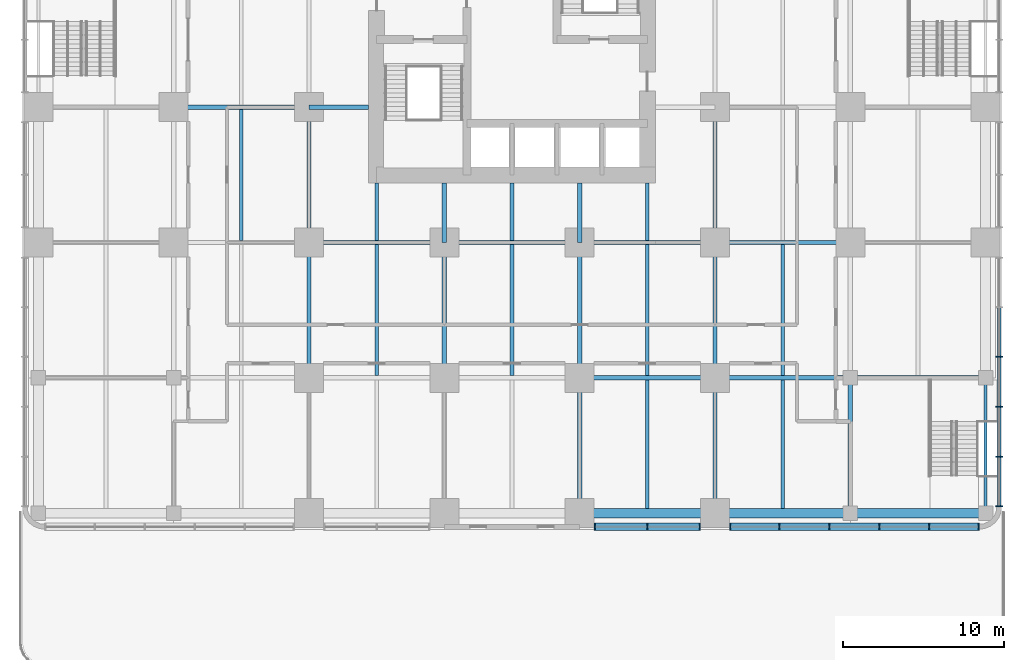
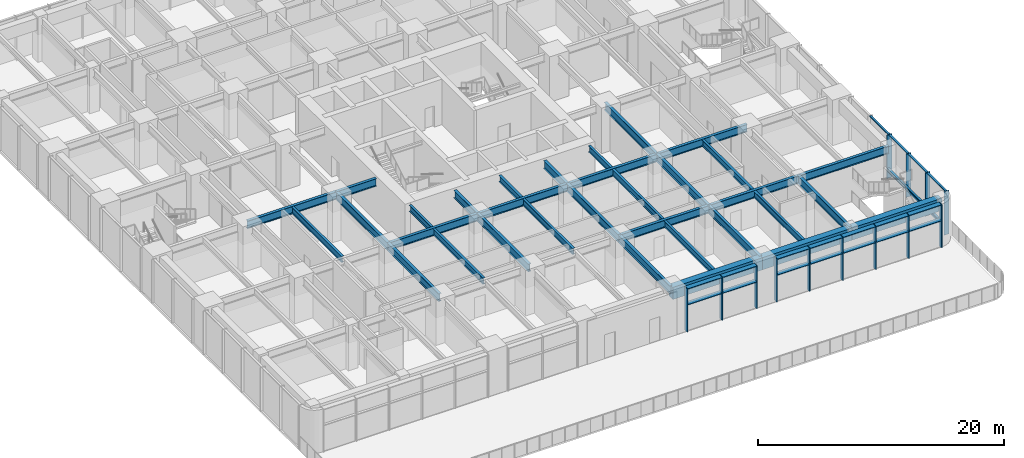
# One storey, part 3 of 19: 34 beams, 31 members, 2 elements without a shape of their own.
"""IFC4 building model written with IfcOpenShell, lengths in metres."""

import ifcopenshell
import ifcopenshell.guid

model = None  # the IFC model being written
_history = None  # IfcOwnerHistory: only IFC2X3 demands one
_inside = {}  # id of a spatial element -> (the spatial element, [elements in it])
_under = {}  # id of a project, library or spatial element -> (it, [spatial elements below it])
_declared = {}  # id of a project -> (the project, [libraries it declares])
_typed = {}  # id of a type object -> (the type object, [elements of that type])
_made_of = {}  # id of a material, layer set ... -> (it, [elements and type objects made of it])


def new_model(schema):
    """Start an empty IFC model of exactly this schema.

    Asked for "IFC4X3", IfcOpenShell would pick the latest addendum, in which some entities
    have other attributes; the version numbers below select the first issue.
    IFC2X3 requires an IfcOwnerHistory on every rooted entity: one is made here for all.
    """
    global model, _history
    if schema == "IFC4X3":
        model = ifcopenshell.file(schema_version=(4, 3, 0, 0))
    else:
        model = ifcopenshell.file(schema=schema)
    _inside.clear()
    _under.clear()
    _declared.clear()
    _typed.clear()
    _made_of.clear()
    _history = None
    if model.schema == "IFC2X3":
        org = make("IfcOrganization", Name="unknown")
        user = make(
            "IfcPersonAndOrganization",
            ThePerson=make("IfcPerson", FamilyName="unknown"),
            TheOrganization=org,
        )
        app = make(
            "IfcApplication",
            ApplicationDeveloper=org,
            Version="unknown",
            ApplicationFullName="unknown",
            ApplicationIdentifier="unknown",
        )
        _history = make(
            "IfcOwnerHistory",
            OwningUser=user,
            OwningApplication=app,
            ChangeAction="ADDED",
            CreationDate=0,
        )
    return model


def make(cls, **values):
    """One entity of the class cls with the attributes given. An attribute that is None is left unset."""
    return model.create_entity(
        cls, **{name: value for name, value in values.items() if value is not None}
    )


def rooted(cls, **values):
    """An entity with a GlobalId (a new one), such as an element, a storey or a relation."""
    return make(cls, GlobalId=ifcopenshell.guid.new(), OwnerHistory=_history, **values)


def si_unit(unit_type, name, prefix=None):
    """IfcSIUnit, for example si_unit("LENGTHUNIT", "METRE", prefix="MILLI")."""
    return make("IfcSIUnit", UnitType=unit_type, Prefix=prefix, Name=name)


def assignment(units):
    """IfcUnitAssignment: the units of a project."""
    return None if units is None else make("IfcUnitAssignment", Units=units)


def point(xyz):
    """IfcCartesianPoint."""
    return None if xyz is None else make("IfcCartesianPoint", Coordinates=xyz)


def direction(xyz):
    """IfcDirection."""
    return None if xyz is None else make("IfcDirection", DirectionRatios=xyz)


def frame(location, z_axis=None, x_axis=None):
    """IfcAxis2Placement3D, a coordinate frame: its origin and axes. An axis left out is left unset."""
    return make(
        "IfcAxis2Placement3D",
        Location=point(location),
        Axis=direction(z_axis),
        RefDirection=direction(x_axis),
    )


def frame_2d(location, x_axis=None):
    """IfcAxis2Placement2D, a coordinate frame in the plane: its origin and x axis."""
    return make(
        "IfcAxis2Placement2D", Location=point(location), RefDirection=direction(x_axis)
    )


def origin():
    """The frame at (0, 0, 0) with its axes left unset."""
    return frame((0.0, 0.0, 0.0))


def origin_2d():
    """The frame at (0, 0) in the plane with its x axis left unset."""
    return frame_2d((0.0, 0.0))


def place(relative_to, where):
    """IfcLocalPlacement: puts the frame where relative to a parent placement (None: the world)."""
    return make(
        "IfcLocalPlacement", PlacementRelTo=relative_to, RelativePlacement=where
    )


def context(
    kind, dimensions, precision=None, world=None, true_north=None, identifier=None
):
    """IfcGeometricRepresentationContext, for example the 3D "Model" context."""
    return make(
        "IfcGeometricRepresentationContext",
        ContextIdentifier=identifier,
        ContextType=kind,
        CoordinateSpaceDimension=dimensions,
        Precision=precision,
        WorldCoordinateSystem=world,
        TrueNorth=true_north,
    )


def subcontext(parent, identifier, kind, view, scale=None):
    """IfcGeometricRepresentationSubContext, for example "Body" below "Model"."""
    return make(
        "IfcGeometricRepresentationSubContext",
        ContextIdentifier=identifier,
        ContextType=kind,
        ParentContext=parent,
        TargetScale=scale,
        TargetView=view,
    )


def project(units=None, contexts=None):
    """IfcProject with its units and contexts."""
    return rooted(
        "IfcProject",
        Name="project",
        RepresentationContexts=contexts,
        UnitsInContext=assignment(units),
    )


def spatial(cls, under=None, at=None, **own):
    """A site, building, storey or space (cls), placed at a placement, below another one or the project."""
    s = rooted(cls, ObjectPlacement=at, **own)
    if under is not None:
        _under.setdefault(under.id(), (under, []))[1].append(s)
    return s


def profile(cls, at=None, kind="AREA", **sizes):
    """A parametric profile (cls). Its sizes go by their IFC names, for example OverallWidth=200.0."""
    return make(cls, ProfileType=kind, Position=at, **sizes)


def rectangle(**sizes):
    """IfcRectangleProfileDef."""
    return profile("IfcRectangleProfileDef", **sizes)


def i_section(**sizes):
    """IfcIShapeProfileDef."""
    return profile("IfcIShapeProfileDef", **sizes)


def extrude(swept, where, along, depth):
    """IfcExtrudedAreaSolid: the profile swept, set in the frame where, extruded along a direction by depth."""
    return make(
        "IfcExtrudedAreaSolid",
        SweptArea=swept,
        Position=where,
        ExtrudedDirection=direction(along),
        Depth=depth,
    )


def shape(context_of_items, identifier, shape_type, items):
    """IfcShapeRepresentation: the items that make up one representation, for example the "Body"."""
    return make(
        "IfcShapeRepresentation",
        ContextOfItems=context_of_items,
        RepresentationIdentifier=identifier,
        RepresentationType=shape_type,
        Items=items,
    )


def material(Name=None, Category=None):
    """IfcMaterial."""
    return make("IfcMaterial", Name=Name, Category=Category)


def material_profile(
    of_material, cross_section, Name=None, Category=None, Priority=None
):
    """IfcMaterialProfile: a cross section and its material."""
    return make(
        "IfcMaterialProfile",
        Name=Name,
        Material=of_material,
        Profile=cross_section,
        Priority=Priority,
        Category=Category,
    )


def profile_set(profiles, Name=None, composite=None):
    """IfcMaterialProfileSet."""
    return make(
        "IfcMaterialProfileSet",
        Name=Name,
        MaterialProfiles=profiles,
        CompositeProfile=composite,
    )


def made_of(thing, what):
    """Note that an element or type object is made of a material, layer set ...; save() writes the relation."""
    if what is not None:
        _made_of.setdefault(what.id(), (what, []))[1].append(thing)
    return thing


def type_object(cls, material=None, **own):
    """A type object (cls), such as IfcWallType, which elements share."""
    return made_of(rooted(cls, **own), material)


def element(
    cls,
    number,
    at=None,
    inside=None,
    cuts=None,
    type_object=None,
    material=None,
    context=None,
    identifier="Body",
    shape_type=None,
    held_by="IfcProductDefinitionShape",
    body=None,
    shapes=None,
    **own,
):
    """One element of the class cls, such as IfcWall. Its Tag is "e" and its number.

    at: its placement. inside: the storey or other place that contains it. cuts: it is an
    opening in that element (IfcRelVoidsElement). A single representation is given by context,
    identifier, shape_type and body (its items); several are given by shapes. held_by: the class
    of the entity that holds the representations. save() writes the other relations.
    """
    e = rooted(cls, Tag="e%d" % number, ObjectPlacement=at, **own)
    if body is not None:
        shapes = [shape(context, identifier, shape_type, body)]
    if shapes is not None:
        e.Representation = make(held_by, Representations=shapes)
    if inside is not None:
        _inside.setdefault(inside.id(), (inside, []))[1].append(e)
    if cuts is not None:
        rooted(
            "IfcRelVoidsElement", RelatingBuildingElement=cuts, RelatedOpeningElement=e
        )
    if type_object is not None:
        _typed.setdefault(type_object.id(), (type_object, []))[1].append(e)
    return made_of(e, material)


def aggregate(whole, parts):
    """IfcRelAggregates: a whole, such as a stair, and the parts it consists of."""
    return rooted("IfcRelAggregates", RelatingObject=whole, RelatedObjects=parts)


def save(model, path):
    """Write the relations noted so far, then the file.

    IfcRelAggregates (storeys below a building ...), IfcRelContainedInSpatialStructure (elements
    in a storey), IfcRelDefinesByType, IfcRelAssociatesMaterial and IfcRelDeclares: one each for
    every whole, place, type object, material and project.
    """
    for whole, parts in _under.values():
        aggregate(whole, parts)
    for where, things in _inside.values():
        rooted(
            "IfcRelContainedInSpatialStructure",
            RelatedElements=things,
            RelatingStructure=where,
        )
    for kind, things in _typed.values():
        rooted("IfcRelDefinesByType", RelatedObjects=things, RelatingType=kind)
    for what, things in _made_of.values():
        rooted("IfcRelAssociatesMaterial", RelatedObjects=things, RelatingMaterial=what)
    for by, libraries in _declared.values():
        rooted("IfcRelDeclares", RelatingContext=by, RelatedDefinitions=libraries)
    model.write(path)


model = new_model("IFC4")

# Units and contexts
model_context = context("Model", 3, precision=1e-05, world=origin(), true_north=direction((0.0, 1.0)))
body_context = subcontext(model_context, "Body", "Model", "MODEL_VIEW")
ifc_project = project(units=[si_unit("LENGTHUNIT", "METRE"), si_unit("AREAUNIT", "SQUARE_METRE"), si_unit("VOLUMEUNIT", "CUBIC_METRE"), si_unit("PLANEANGLEUNIT", "RADIAN"), si_unit("MASSUNIT", "GRAM", prefix="KILO")], contexts=[model_context])

# Site, building, storey
site_placement = place(None, origin())
site = spatial("IfcSite", under=ifc_project, at=site_placement, CompositionType="ELEMENT")
building_placement = place(site_placement, origin())
building = spatial("IfcBuilding", under=site, at=building_placement, Name="Torre Alcanfor", CompositionType="ELEMENT")
storey_placement = place(building_placement, frame((0.0, 0.0, 15.0)))
storey = spatial("IfcBuildingStorey", under=building, at=storey_placement, Name="L03", CompositionType="ELEMENT", Elevation=15.0)

# Curtain wall, members
ifc_material_1 = material(Name="Aluminium and glass", Category="aluminium")
curtain_wall_type_1 = type_object("IfcCurtainWallType", Name="CW-B unitised classroom glazing with vertical FIN", PredefinedType="NOTDEFINED", material=ifc_material_1)
curtain_wall_1_placement = place(storey_placement, origin())
curtain_wall_1 = element("IfcCurtainWall", 1, at=curtain_wall_1_placement, inside=storey, type_object=curtain_wall_type_1, Name="Curtain wall CW-B L03 1", PredefinedType="NOTDEFINED")
ifc_material_2 = material(Name="Bronze anodised aluminium", Category="aluminium")
ifc_material_profile_1 = material_profile(ifc_material_2, rectangle(XDim=0.449951171875, YDim=0.06494140625, at=origin_2d()), Name="CW-B mullion 65x450")
ifc_profile_set_1 = profile_set([ifc_material_profile_1], Name="Bronze anodised aluminium")
member_type_1 = type_object("IfcMemberType", Name="CW-B mullion with vertical FIN 65x450", PredefinedType="MULLION", material=ifc_profile_set_1)
member_1_placement = place(storey_placement, frame((59.64990234375, 0.4326171875, 0.0), z_axis=(0.0, 0.0, 1.0), x_axis=(-1.0, 0.0, 0.0)))
member_1 = element("IfcMember", 2, at=member_1_placement, type_object=member_type_1, Name="CW-B mullion 1.1", PredefinedType="MULLION", context=body_context, shape_type="SweptSolid", body=[
    extrude(rectangle(XDim=0.449951171875, YDim=0.06494140625, at=origin_2d()), origin(), (0.0, 0.0, 1.0), 4.300048828125),
])
member_2_placement = place(storey_placement, frame((59.64990234375, 3.4990234375, 0.0), z_axis=(0.0, 0.0, 1.0), x_axis=(-1.0, 0.0, 0.0)))
member_2 = element("IfcMember", 3, at=member_2_placement, type_object=member_type_1, Name="CW-B mullion 1.2", PredefinedType="MULLION", context=body_context, shape_type="SweptSolid", body=[
    extrude(rectangle(XDim=0.449951171875, YDim=0.06494140625, at=origin_2d()), origin(), (0.0, 0.0, 1.0), 4.300048828125),
])
member_3_placement = place(storey_placement, frame((59.64990234375, 6.597900390625, 0.0), z_axis=(0.0, 0.0, 1.0), x_axis=(-1.0, 0.0, 0.0)))
member_3 = element("IfcMember", 4, at=member_3_placement, type_object=member_type_1, Name="CW-B mullion 1.3", PredefinedType="MULLION", context=body_context, shape_type="SweptSolid", body=[
    extrude(rectangle(XDim=0.449951171875, YDim=0.06494140625, at=origin_2d()), origin(), (0.0, 0.0, 1.0), 4.300048828125),
])
member_4_placement = place(storey_placement, frame((59.64990234375, 9.697021484375, 0.0), z_axis=(0.0, 0.0, 1.0), x_axis=(-1.0, 0.0, 0.0)))
member_4 = element("IfcMember", 5, at=member_4_placement, type_object=member_type_1, Name="CW-B mullion 1.4", PredefinedType="MULLION", context=body_context, shape_type="SweptSolid", body=[
    extrude(rectangle(XDim=0.449951171875, YDim=0.06494140625, at=origin_2d()), origin(), (0.0, 0.0, 1.0), 4.300048828125),
])
ifc_material_3 = material(Name="Extruded aluminium", Category="aluminium")
ifc_material_profile_2 = material_profile(ifc_material_3, rectangle(XDim=0.199951171875, YDim=0.06494140625, at=origin_2d()), Name="CW-B transom 200x65")
ifc_profile_set_2 = profile_set([ifc_material_profile_2], Name="Extruded aluminium")
member_type_2 = type_object("IfcMemberType", Name="CW-B transom 65x200", PredefinedType="USERDEFINED", material=ifc_profile_set_2)
member_5_placement = place(storey_placement, frame((59.64990234375, 0.465087890625, 4.267578125), z_axis=(0.0, 1.0, 0.0), x_axis=(-1.0, 0.0, 0.0)))
member_5 = element("IfcMember", 6, at=member_5_placement, type_object=member_type_2, Name="CW-B transom 1.1.2", ObjectType="TRANSOM", PredefinedType="USERDEFINED", context=body_context, shape_type="SweptSolid", body=[
    extrude(rectangle(XDim=0.199951171875, YDim=0.06494140625, at=origin_2d()), origin(), (0.0, 0.0, 1.0), 3.00146484375),
])
member_6_placement = place(storey_placement, frame((59.64990234375, 3.531494140625, 4.267578125), z_axis=(0.0, 1.0, 0.0), x_axis=(-1.0, 0.0, 0.0)))
member_6 = element("IfcMember", 7, at=member_6_placement, type_object=member_type_2, Name="CW-B transom 1.2.2", ObjectType="TRANSOM", PredefinedType="USERDEFINED", context=body_context, shape_type="SweptSolid", body=[
    extrude(rectangle(XDim=0.199951171875, YDim=0.06494140625, at=origin_2d()), origin(), (0.0, 0.0, 1.0), 3.033935546875),
])
member_7_placement = place(storey_placement, frame((59.64990234375, 6.630615234375, 4.267578125), z_axis=(0.0, 1.0, 0.0), x_axis=(-1.0, 0.0, 0.0)))
member_7 = element("IfcMember", 8, at=member_7_placement, type_object=member_type_2, Name="CW-B transom 1.3.2", ObjectType="TRANSOM", PredefinedType="USERDEFINED", context=body_context, shape_type="SweptSolid", body=[
    extrude(rectangle(XDim=0.199951171875, YDim=0.06494140625, at=origin_2d()), origin(), (0.0, 0.0, 1.0), 3.033935546875),
])
member_8_placement = place(storey_placement, frame((59.64990234375, 9.7294921875, 4.267578125), z_axis=(0.0, 1.0, 0.0), x_axis=(-1.0, 0.0, 0.0)))
member_8 = element("IfcMember", 9, at=member_8_placement, type_object=member_type_2, Name="CW-B transom 1.4.2", ObjectType="TRANSOM", PredefinedType="USERDEFINED", context=body_context, shape_type="SweptSolid", body=[
    extrude(rectangle(XDim=0.199951171875, YDim=0.06494140625, at=origin_2d()), origin(), (0.0, 0.0, 1.0), 3.033935546875),
])
aggregate(curtain_wall_1, [member_1, member_2, member_3, member_4, member_5, member_6, member_7, member_8])

ifc_material_4 = material(Name="Aluminium and glass", Category="aluminium")
curtain_wall_type_2 = type_object("IfcCurtainWallType", Name="CW-F south classroom glazing with SUNSHADE transom", PredefinedType="NOTDEFINED", material=ifc_material_4)
curtain_wall_2_placement = place(storey_placement, origin())
curtain_wall_2 = element("IfcCurtainWall", 10, at=curtain_wall_2_placement, inside=storey, type_object=curtain_wall_type_2, Name="Curtain wall CW-F L03 4", PredefinedType="NOTDEFINED")
ifc_material_5 = material(Name="Extruded aluminium", Category="aluminium")
ifc_material_profile_3 = material_profile(ifc_material_5, rectangle(XDim=0.449951171875, YDim=0.06494140625, at=origin_2d()), Name="CW-F transom 450x65")
ifc_profile_set_3 = profile_set([ifc_material_profile_3], Name="Extruded aluminium")
member_type_3 = type_object("IfcMemberType", Name="CW-F SUNSHADE transom 65x450", PredefinedType="USERDEFINED", material=ifc_profile_set_3)
member_9_placement = place(storey_placement, frame((34.570068359375, -0.85009765625, 2.699951171875), z_axis=(1.0, 0.0, 0.0), x_axis=(0.0, 1.0, 0.0)))
member_9 = element("IfcMember", 11, at=member_9_placement, type_object=member_type_3, Name="CW-F transom 1.1.2", ObjectType="TRANSOM", PredefinedType="USERDEFINED", context=body_context, shape_type="SweptSolid", body=[
    extrude(rectangle(XDim=0.449951171875, YDim=0.06494140625, at=origin_2d()), origin(), (0.0, 0.0, 1.0), 3.197509765625),
])
member_10_placement = place(storey_placement, frame((34.570068359375, -0.85009765625, 4.267578125), z_axis=(1.0, 0.0, 0.0), x_axis=(0.0, 1.0, 0.0)))
member_10 = element("IfcMember", 12, at=member_10_placement, type_object=member_type_3, Name="CW-F transom 1.1.3", ObjectType="TRANSOM", PredefinedType="USERDEFINED", context=body_context, shape_type="SweptSolid", body=[
    extrude(rectangle(XDim=0.449951171875, YDim=0.06494140625, at=origin_2d()), origin(), (0.0, 0.0, 1.0), 3.197509765625),
])
member_11_placement = place(storey_placement, frame((37.83251953125, -0.85009765625, 2.699951171875), z_axis=(1.0, 0.0, 0.0), x_axis=(0.0, 1.0, 0.0)))
member_11 = element("IfcMember", 13, at=member_11_placement, type_object=member_type_3, Name="CW-F transom 1.2.2", ObjectType="TRANSOM", PredefinedType="USERDEFINED", context=body_context, shape_type="SweptSolid", body=[
    extrude(rectangle(XDim=0.449951171875, YDim=0.06494140625, at=origin_2d()), origin(), (0.0, 0.0, 1.0), 3.197509765625),
])
member_12_placement = place(storey_placement, frame((37.83251953125, -0.85009765625, 4.267578125), z_axis=(1.0, 0.0, 0.0), x_axis=(0.0, 1.0, 0.0)))
member_12 = element("IfcMember", 14, at=member_12_placement, type_object=member_type_3, Name="CW-F transom 1.2.3", ObjectType="TRANSOM", PredefinedType="USERDEFINED", context=body_context, shape_type="SweptSolid", body=[
    extrude(rectangle(XDim=0.449951171875, YDim=0.06494140625, at=origin_2d()), origin(), (0.0, 0.0, 1.0), 3.197509765625),
])
member_13_placement = place(storey_placement, frame((42.969970703125, -0.85009765625, 2.699951171875), z_axis=(1.0, 0.0, 0.0), x_axis=(0.0, 1.0, 0.0)))
member_13 = element("IfcMember", 15, at=member_13_placement, type_object=member_type_3, Name="CW-F transom 2.1.2", ObjectType="TRANSOM", PredefinedType="USERDEFINED", context=body_context, shape_type="SweptSolid", body=[
    extrude(rectangle(XDim=0.449951171875, YDim=0.06494140625, at=origin_2d()), origin(), (0.0, 0.0, 1.0), 3.00146484375),
])
member_14_placement = place(storey_placement, frame((42.969970703125, -0.85009765625, 4.267578125), z_axis=(1.0, 0.0, 0.0), x_axis=(0.0, 1.0, 0.0)))
member_14 = element("IfcMember", 16, at=member_14_placement, type_object=member_type_3, Name="CW-F transom 2.1.3", ObjectType="TRANSOM", PredefinedType="USERDEFINED", context=body_context, shape_type="SweptSolid", body=[
    extrude(rectangle(XDim=0.449951171875, YDim=0.06494140625, at=origin_2d()), origin(), (0.0, 0.0, 1.0), 3.00146484375),
])
member_15_placement = place(storey_placement, frame((46.03662109375, -0.85009765625, 2.699951171875), z_axis=(1.0, 0.0, 0.0), x_axis=(0.0, 1.0, 0.0)))
member_15 = element("IfcMember", 17, at=member_15_placement, type_object=member_type_3, Name="CW-F transom 2.2.2", ObjectType="TRANSOM", PredefinedType="USERDEFINED", context=body_context, shape_type="SweptSolid", body=[
    extrude(rectangle(XDim=0.449951171875, YDim=0.06494140625, at=origin_2d()), origin(), (0.0, 0.0, 1.0), 3.033935546875),
])
member_16_placement = place(storey_placement, frame((46.03662109375, -0.85009765625, 4.267578125), z_axis=(1.0, 0.0, 0.0), x_axis=(0.0, 1.0, 0.0)))
member_16 = element("IfcMember", 18, at=member_16_placement, type_object=member_type_3, Name="CW-F transom 2.2.3", ObjectType="TRANSOM", PredefinedType="USERDEFINED", context=body_context, shape_type="SweptSolid", body=[
    extrude(rectangle(XDim=0.449951171875, YDim=0.06494140625, at=origin_2d()), origin(), (0.0, 0.0, 1.0), 3.033935546875),
])
member_17_placement = place(storey_placement, frame((49.135498046875, -0.85009765625, 2.699951171875), z_axis=(1.0, 0.0, 0.0), x_axis=(0.0, 1.0, 0.0)))
member_17 = element("IfcMember", 19, at=member_17_placement, type_object=member_type_3, Name="CW-F transom 2.3.2", ObjectType="TRANSOM", PredefinedType="USERDEFINED", context=body_context, shape_type="SweptSolid", body=[
    extrude(rectangle(XDim=0.449951171875, YDim=0.06494140625, at=origin_2d()), origin(), (0.0, 0.0, 1.0), 3.033935546875),
])
member_18_placement = place(storey_placement, frame((49.135498046875, -0.85009765625, 4.267578125), z_axis=(1.0, 0.0, 0.0), x_axis=(0.0, 1.0, 0.0)))
member_18 = element("IfcMember", 20, at=member_18_placement, type_object=member_type_3, Name="CW-F transom 2.3.3", ObjectType="TRANSOM", PredefinedType="USERDEFINED", context=body_context, shape_type="SweptSolid", body=[
    extrude(rectangle(XDim=0.449951171875, YDim=0.06494140625, at=origin_2d()), origin(), (0.0, 0.0, 1.0), 3.033935546875),
])
member_19_placement = place(storey_placement, frame((52.234619140625, -0.85009765625, 2.699951171875), z_axis=(1.0, 0.0, 0.0), x_axis=(0.0, 1.0, 0.0)))
member_19 = element("IfcMember", 21, at=member_19_placement, type_object=member_type_3, Name="CW-F transom 2.4.2", ObjectType="TRANSOM", PredefinedType="USERDEFINED", context=body_context, shape_type="SweptSolid", body=[
    extrude(rectangle(XDim=0.449951171875, YDim=0.06494140625, at=origin_2d()), origin(), (0.0, 0.0, 1.0), 3.033935546875),
])
member_20_placement = place(storey_placement, frame((52.234619140625, -0.85009765625, 4.267578125), z_axis=(1.0, 0.0, 0.0), x_axis=(0.0, 1.0, 0.0)))
member_20 = element("IfcMember", 22, at=member_20_placement, type_object=member_type_3, Name="CW-F transom 2.4.3", ObjectType="TRANSOM", PredefinedType="USERDEFINED", context=body_context, shape_type="SweptSolid", body=[
    extrude(rectangle(XDim=0.449951171875, YDim=0.06494140625, at=origin_2d()), origin(), (0.0, 0.0, 1.0), 3.033935546875),
])
member_21_placement = place(storey_placement, frame((55.33349609375, -0.85009765625, 2.699951171875), z_axis=(1.0, 0.0, 0.0), x_axis=(0.0, 1.0, 0.0)))
member_21 = element("IfcMember", 23, at=member_21_placement, type_object=member_type_3, Name="CW-F transom 2.5.2", ObjectType="TRANSOM", PredefinedType="USERDEFINED", context=body_context, shape_type="SweptSolid", body=[
    extrude(rectangle(XDim=0.449951171875, YDim=0.06494140625, at=origin_2d()), origin(), (0.0, 0.0, 1.0), 3.00146484375),
])
member_22_placement = place(storey_placement, frame((55.33349609375, -0.85009765625, 4.267578125), z_axis=(1.0, 0.0, 0.0), x_axis=(0.0, 1.0, 0.0)))
member_22 = element("IfcMember", 24, at=member_22_placement, type_object=member_type_3, Name="CW-F transom 2.5.3", ObjectType="TRANSOM", PredefinedType="USERDEFINED", context=body_context, shape_type="SweptSolid", body=[
    extrude(rectangle(XDim=0.449951171875, YDim=0.06494140625, at=origin_2d()), origin(), (0.0, 0.0, 1.0), 3.00146484375),
])
ifc_material_6 = material(Name="Bronze anodised aluminium", Category="aluminium")
ifc_material_profile_4 = material_profile(ifc_material_6, rectangle(XDim=0.449951171875, YDim=0.06494140625, at=origin_2d()), Name="CW-F mullion 65x450")
ifc_profile_set_4 = profile_set([ifc_material_profile_4], Name="Bronze anodised aluminium")
member_type_4 = type_object("IfcMemberType", Name="CW-F mullion with vertical FIN 65x450", PredefinedType="MULLION", material=ifc_profile_set_4)
member_23_placement = place(storey_placement, frame((34.53759765625, -0.85009765625, 0.0), z_axis=(0.0, 0.0, 1.0), x_axis=(0.0, 1.0, 0.0)))
member_23 = element("IfcMember", 25, at=member_23_placement, type_object=member_type_4, Name="CW-F mullion 1.1", PredefinedType="MULLION", context=body_context, shape_type="SweptSolid", body=[
    extrude(rectangle(XDim=0.449951171875, YDim=0.06494140625, at=origin_2d()), origin(), (0.0, 0.0, 1.0), 4.300048828125),
])
member_24_placement = place(storey_placement, frame((37.800048828125, -0.85009765625, 0.0), z_axis=(0.0, 0.0, 1.0), x_axis=(0.0, 1.0, 0.0)))
member_24 = element("IfcMember", 26, at=member_24_placement, type_object=member_type_4, Name="CW-F mullion 1.2", PredefinedType="MULLION", context=body_context, shape_type="SweptSolid", body=[
    extrude(rectangle(XDim=0.449951171875, YDim=0.06494140625, at=origin_2d()), origin(), (0.0, 0.0, 1.0), 4.300048828125),
])
member_25_placement = place(storey_placement, frame((41.0625, -0.85009765625, 0.0), z_axis=(0.0, 0.0, 1.0), x_axis=(0.0, 1.0, 0.0)))
member_25 = element("IfcMember", 27, at=member_25_placement, type_object=member_type_4, Name="CW-F mullion 1.3", PredefinedType="MULLION", context=body_context, shape_type="SweptSolid", body=[
    extrude(rectangle(XDim=0.449951171875, YDim=0.06494140625, at=origin_2d()), origin(), (0.0, 0.0, 1.0), 4.300048828125),
])
member_26_placement = place(storey_placement, frame((42.9375, -0.85009765625, 0.0), z_axis=(0.0, 0.0, 1.0), x_axis=(0.0, 1.0, 0.0)))
member_26 = element("IfcMember", 28, at=member_26_placement, type_object=member_type_4, Name="CW-F mullion 2.1", PredefinedType="MULLION", context=body_context, shape_type="SweptSolid", body=[
    extrude(rectangle(XDim=0.449951171875, YDim=0.06494140625, at=origin_2d()), origin(), (0.0, 0.0, 1.0), 4.300048828125),
])
member_27_placement = place(storey_placement, frame((46.00390625, -0.85009765625, 0.0), z_axis=(0.0, 0.0, 1.0), x_axis=(0.0, 1.0, 0.0)))
member_27 = element("IfcMember", 29, at=member_27_placement, type_object=member_type_4, Name="CW-F mullion 2.2", PredefinedType="MULLION", context=body_context, shape_type="SweptSolid", body=[
    extrude(rectangle(XDim=0.449951171875, YDim=0.06494140625, at=origin_2d()), origin(), (0.0, 0.0, 1.0), 4.300048828125),
])
member_28_placement = place(storey_placement, frame((49.10302734375, -0.85009765625, 0.0), z_axis=(0.0, 0.0, 1.0), x_axis=(0.0, 1.0, 0.0)))
member_28 = element("IfcMember", 30, at=member_28_placement, type_object=member_type_4, Name="CW-F mullion 2.3", PredefinedType="MULLION", context=body_context, shape_type="SweptSolid", body=[
    extrude(rectangle(XDim=0.449951171875, YDim=0.06494140625, at=origin_2d()), origin(), (0.0, 0.0, 1.0), 4.300048828125),
])
member_29_placement = place(storey_placement, frame((52.201904296875, -0.85009765625, 0.0), z_axis=(0.0, 0.0, 1.0), x_axis=(0.0, 1.0, 0.0)))
member_29 = element("IfcMember", 31, at=member_29_placement, type_object=member_type_4, Name="CW-F mullion 2.4", PredefinedType="MULLION", context=body_context, shape_type="SweptSolid", body=[
    extrude(rectangle(XDim=0.449951171875, YDim=0.06494140625, at=origin_2d()), origin(), (0.0, 0.0, 1.0), 4.300048828125),
])
member_30_placement = place(storey_placement, frame((55.301025390625, -0.85009765625, 0.0), z_axis=(0.0, 0.0, 1.0), x_axis=(0.0, 1.0, 0.0)))
member_30 = element("IfcMember", 32, at=member_30_placement, type_object=member_type_4, Name="CW-F mullion 2.5", PredefinedType="MULLION", context=body_context, shape_type="SweptSolid", body=[
    extrude(rectangle(XDim=0.449951171875, YDim=0.06494140625, at=origin_2d()), origin(), (0.0, 0.0, 1.0), 4.300048828125),
])
member_31_placement = place(storey_placement, frame((58.367431640625, -0.85009765625, 0.0), z_axis=(0.0, 0.0, 1.0), x_axis=(0.0, 1.0, 0.0)))
member_31 = element("IfcMember", 33, at=member_31_placement, type_object=member_type_4, Name="CW-F mullion 2.6", PredefinedType="MULLION", context=body_context, shape_type="SweptSolid", body=[
    extrude(rectangle(XDim=0.449951171875, YDim=0.06494140625, at=origin_2d()), origin(), (0.0, 0.0, 1.0), 4.300048828125),
])
aggregate(curtain_wall_2, [member_23, member_24, member_25, member_9, member_10, member_11, member_12, member_26, member_27, member_28, member_29, member_30, member_31, member_13, member_14, member_15, member_16, member_17, member_18, member_19, member_20, member_21, member_22])

# Beams
ifc_material_7 = material(Name="Steel ASTM A992 Grade 50", Category="steel")
ifc_material_profile_5 = material_profile(ifc_material_7, i_section(OverallWidth=0.2666015625, OverallDepth=0.7568359375, WebThickness=0.013916015625, FlangeThickness=0.019287109375, at=origin_2d()), Name="W30x108")
ifc_profile_set_5 = profile_set([ifc_material_profile_5], Name="Steel ASTM A992 Grade 50")
beam_type_1 = type_object("IfcBeamType", Name="Girder W30x108", PredefinedType="BEAM", material=ifc_profile_set_5)
for number, where, z_axis, x_axis, name in (
    (34, (33.60009765625, 8.39990234375, 3.921630859375), (1.0, 0.0, 0.0), (0.0, 1.0, 0.0), "Beam 5D-6D under L04"),
    (35, (42.0, 8.39990234375, 3.921630859375), (1.0, 0.0, 0.0), (0.0, 1.0, 0.0), "Beam 6D-7D under L04"),
):
    element("IfcBeam", number, at=place(storey_placement, frame(where, z_axis=z_axis, x_axis=x_axis)), inside=storey, type_object=beam_type_1, Name=name, PredefinedType="BEAM", context=body_context, shape_type="SweptSolid", body=[
        extrude(i_section(OverallWidth=0.2666015625, OverallDepth=0.7568359375, WebThickness=0.013916015625, FlangeThickness=0.019287109375, at=origin_2d()), origin(), (0.0, 0.0, 1.0), 8.39990234375),
    ])
beam_1_placement = place(storey_placement, frame((50.39990234375, 8.39990234375, 3.921630859375), z_axis=(1.0, 0.0, 0.0), x_axis=(0.0, 1.0, 0.0)))
element("IfcBeam", 36, at=beam_1_placement, inside=storey, type_object=beam_type_1, Name="Beam 7D-8D under L04", PredefinedType="BEAM", context=body_context, shape_type="SweptSolid", body=[
    extrude(i_section(OverallWidth=0.2666015625, OverallDepth=0.7568359375, WebThickness=0.013916015625, FlangeThickness=0.019287109375, at=origin_2d()), origin(), (0.0, 0.0, 1.0), 8.400146484375),
])
beam_2_placement = place(storey_placement, frame((16.800048828125, 16.800048828125, 3.921630859375), z_axis=(1.0, 0.0, 0.0), x_axis=(0.0, 1.0, 0.0)))
element("IfcBeam", 37, at=beam_2_placement, inside=storey, type_object=beam_type_1, Name="Beam 3E-4E under L04", PredefinedType="BEAM", context=body_context, shape_type="SweptSolid", body=[
    extrude(i_section(OverallWidth=0.2666015625, OverallDepth=0.7568359375, WebThickness=0.013916015625, FlangeThickness=0.019287109375, at=origin_2d()), origin(), (0.0, 0.0, 1.0), 8.39990234375),
])
beam_3_placement = place(storey_placement, frame((25.199951171875, 16.800048828125, 3.921630859375), z_axis=(1.0, 0.0, 0.0), x_axis=(0.0, 1.0, 0.0)))
element("IfcBeam", 38, at=beam_3_placement, inside=storey, type_object=beam_type_1, Name="Beam 4E-5E under L04", PredefinedType="BEAM", context=body_context, shape_type="SweptSolid", body=[
    extrude(i_section(OverallWidth=0.2666015625, OverallDepth=0.7568359375, WebThickness=0.013916015625, FlangeThickness=0.019287109375, at=origin_2d()), origin(), (0.0, 0.0, 1.0), 8.400146484375),
])
for number, where, z_axis, x_axis, name in (
    (39, (33.60009765625, 16.800048828125, 3.921630859375), (1.0, 0.0, 0.0), (0.0, 1.0, 0.0), "Beam 5E-6E under L04"),
    (40, (42.0, 16.800048828125, 3.921630859375), (1.0, 0.0, 0.0), (0.0, 1.0, 0.0), "Beam 6E-7E under L04"),
):
    element("IfcBeam", number, at=place(storey_placement, frame(where, z_axis=z_axis, x_axis=x_axis)), inside=storey, type_object=beam_type_1, Name=name, PredefinedType="BEAM", context=body_context, shape_type="SweptSolid", body=[
        extrude(i_section(OverallWidth=0.2666015625, OverallDepth=0.7568359375, WebThickness=0.013916015625, FlangeThickness=0.019287109375, at=origin_2d()), origin(), (0.0, 0.0, 1.0), 8.39990234375),
    ])
for number, where, z_axis, x_axis, name in (
    (41, (8.39990234375, 25.199951171875, 3.921630859375), (1.0, 0.0, 0.0), (0.0, 1.0, 0.0), "Beam 2F-3F under L04"),
    (42, (16.800048828125, 8.39990234375, 3.921630859375), (0.0, 1.0, 0.0), (-1.0, 0.0, 0.0), "Beam 3D-3E under L04"),
):
    element("IfcBeam", number, at=place(storey_placement, frame(where, z_axis=z_axis, x_axis=x_axis)), inside=storey, type_object=beam_type_1, Name=name, PredefinedType="BEAM", context=body_context, shape_type="SweptSolid", body=[
        extrude(i_section(OverallWidth=0.2666015625, OverallDepth=0.7568359375, WebThickness=0.013916015625, FlangeThickness=0.019287109375, at=origin_2d()), origin(), (0.0, 0.0, 1.0), 8.400146484375),
    ])
beam_4_placement = place(storey_placement, frame((16.800048828125, 16.800048828125, 3.921630859375), z_axis=(0.0, 1.0, 0.0), x_axis=(-1.0, 0.0, 0.0)))
element("IfcBeam", 43, at=beam_4_placement, inside=storey, type_object=beam_type_1, Name="Beam 3E-3F under L04", PredefinedType="BEAM", context=body_context, shape_type="SweptSolid", body=[
    extrude(i_section(OverallWidth=0.2666015625, OverallDepth=0.7568359375, WebThickness=0.013916015625, FlangeThickness=0.019287109375, at=origin_2d()), origin(), (0.0, 0.0, 1.0), 8.39990234375),
])
beam_5_placement = place(storey_placement, frame((25.199951171875, 8.39990234375, 3.921630859375), z_axis=(0.0, 1.0, 0.0), x_axis=(-1.0, 0.0, 0.0)))
element("IfcBeam", 44, at=beam_5_placement, inside=storey, type_object=beam_type_1, Name="Beam 4D-4E under L04", PredefinedType="BEAM", context=body_context, shape_type="SweptSolid", body=[
    extrude(i_section(OverallWidth=0.2666015625, OverallDepth=0.7568359375, WebThickness=0.013916015625, FlangeThickness=0.019287109375, at=origin_2d()), origin(), (0.0, 0.0, 1.0), 8.400146484375),
])
beam_6_placement = place(storey_placement, frame((33.60009765625, 0.0, 3.921630859375), z_axis=(0.0, 1.0, 0.0), x_axis=(-1.0, 0.0, 0.0)))
element("IfcBeam", 45, at=beam_6_placement, inside=storey, type_object=beam_type_1, Name="Beam 5C-5D under L04", PredefinedType="BEAM", context=body_context, shape_type="SweptSolid", body=[
    extrude(i_section(OverallWidth=0.2666015625, OverallDepth=0.7568359375, WebThickness=0.013916015625, FlangeThickness=0.019287109375, at=origin_2d()), origin(), (0.0, 0.0, 1.0), 8.39990234375),
])
beam_7_placement = place(storey_placement, frame((33.60009765625, 8.39990234375, 3.921630859375), z_axis=(0.0, 1.0, 0.0), x_axis=(-1.0, 0.0, 0.0)))
element("IfcBeam", 46, at=beam_7_placement, inside=storey, type_object=beam_type_1, Name="Beam 5D-5E under L04", PredefinedType="BEAM", context=body_context, shape_type="SweptSolid", body=[
    extrude(i_section(OverallWidth=0.2666015625, OverallDepth=0.7568359375, WebThickness=0.013916015625, FlangeThickness=0.019287109375, at=origin_2d()), origin(), (0.0, 0.0, 1.0), 8.400146484375),
])
beam_8_placement = place(storey_placement, frame((42.0, 0.0, 3.921630859375), z_axis=(0.0, 1.0, 0.0), x_axis=(-1.0, 0.0, 0.0)))
element("IfcBeam", 47, at=beam_8_placement, inside=storey, type_object=beam_type_1, Name="Beam 6C-6D under L04", PredefinedType="BEAM", context=body_context, shape_type="SweptSolid", body=[
    extrude(i_section(OverallWidth=0.2666015625, OverallDepth=0.7568359375, WebThickness=0.013916015625, FlangeThickness=0.019287109375, at=origin_2d()), origin(), (0.0, 0.0, 1.0), 8.39990234375),
])
beam_9_placement = place(storey_placement, frame((42.0, 8.39990234375, 3.921630859375), z_axis=(0.0, 1.0, 0.0), x_axis=(-1.0, 0.0, 0.0)))
element("IfcBeam", 48, at=beam_9_placement, inside=storey, type_object=beam_type_1, Name="Beam 6D-6E under L04", PredefinedType="BEAM", context=body_context, shape_type="SweptSolid", body=[
    extrude(i_section(OverallWidth=0.2666015625, OverallDepth=0.7568359375, WebThickness=0.013916015625, FlangeThickness=0.019287109375, at=origin_2d()), origin(), (0.0, 0.0, 1.0), 8.400146484375),
])
for number, where, z_axis, x_axis, name in (
    (49, (42.0, 16.800048828125, 3.921630859375), (0.0, 1.0, 0.0), (-1.0, 0.0, 0.0), "Beam 6E-6F under L04"),
    (50, (50.39990234375, 0.0, 3.921630859375), (0.0, 1.0, 0.0), (-1.0, 0.0, 0.0), "Beam 7C-7D under L04"),
):
    element("IfcBeam", number, at=place(storey_placement, frame(where, z_axis=z_axis, x_axis=x_axis)), inside=storey, type_object=beam_type_1, Name=name, PredefinedType="BEAM", context=body_context, shape_type="SweptSolid", body=[
        extrude(i_section(OverallWidth=0.2666015625, OverallDepth=0.7568359375, WebThickness=0.013916015625, FlangeThickness=0.019287109375, at=origin_2d()), origin(), (0.0, 0.0, 1.0), 8.39990234375),
    ])
ifc_material_8 = material(Name="Steel ASTM A992 Grade 50", Category="steel")
ifc_material_profile_6 = material_profile(ifc_material_8, i_section(OverallWidth=0.2666015625, OverallDepth=0.7568359375, WebThickness=0.013916015625, FlangeThickness=0.019287109375, at=origin_2d()), Name="W30x108")
ifc_profile_set_6 = profile_set([ifc_material_profile_6], Name="Steel ASTM A992 Grade 50")
beam_type_2 = type_object("IfcBeamType", Name="Girder, part bay W30x108", PredefinedType="BEAM", material=ifc_profile_set_6)
for number, where, z_axis, x_axis, name in (
    (51, (25.199951171875, 16.800048828125, 3.921630859375), (0.0, 1.0, 0.0), (-1.0, 0.0, 0.0), "Beam 4E-420_5 under L04"),
    (52, (33.60009765625, 16.800048828125, 3.921630859375), (0.0, 1.0, 0.0), (-1.0, 0.0, 0.0), "Beam 5E-520_5 under L04"),
    (53, (16.800048828125, 25.199951171875, 3.921630859375), (1.0, 0.0, 0.0), (0.0, 1.0, 0.0), "Beam 3F-20_5F under L04"),
):
    element("IfcBeam", number, at=place(storey_placement, frame(where, z_axis=z_axis, x_axis=x_axis)), inside=storey, type_object=beam_type_2, Name=name, PredefinedType="BEAM", context=body_context, shape_type="SweptSolid", body=[
        extrude(i_section(OverallWidth=0.2666015625, OverallDepth=0.7568359375, WebThickness=0.013916015625, FlangeThickness=0.019287109375, at=origin_2d()), origin(), (0.0, 0.0, 1.0), 3.699951171875),
    ])
ifc_material_9 = material(Name="Concrete f'c 70 MPa", Category="concrete")
ifc_material_profile_7 = material_profile(ifc_material_9, rectangle(XDim=0.60009765625, YDim=1.199951171875, at=origin_2d()), Name="600x1200")
ifc_profile_set_7 = profile_set([ifc_material_profile_7], Name="Concrete f'c 70 MPa")
beam_type_3 = type_object("IfcBeamType", Name="RC perimeter beam 600x1200", PredefinedType="BEAM", material=ifc_profile_set_7)
for number, where, z_axis, x_axis, name in (
    (54, (33.60009765625, 0.0, 3.699951171875), (1.0, 0.0, 0.0), (0.0, 1.0, 0.0), "Beam 5C-6C under L04"),
    (55, (42.0, 0.0, 3.699951171875), (1.0, 0.0, 0.0), (0.0, 1.0, 0.0), "Beam 6C-7C under L04"),
):
    element("IfcBeam", number, at=place(storey_placement, frame(where, z_axis=z_axis, x_axis=x_axis)), inside=storey, type_object=beam_type_3, Name=name, PredefinedType="BEAM", context=body_context, shape_type="SweptSolid", body=[
        extrude(rectangle(XDim=0.60009765625, YDim=1.199951171875, at=origin_2d()), origin(), (0.0, 0.0, 1.0), 8.39990234375),
    ])
beam_10_placement = place(storey_placement, frame((50.39990234375, 0.0, 3.699951171875), z_axis=(1.0, 0.0, 0.0), x_axis=(0.0, 1.0, 0.0)))
element("IfcBeam", 56, at=beam_10_placement, inside=storey, type_object=beam_type_3, Name="Beam 7C-8C under L04", PredefinedType="BEAM", context=body_context, shape_type="SweptSolid", body=[
    extrude(rectangle(XDim=0.60009765625, YDim=1.199951171875, at=origin_2d()), origin(), (0.0, 0.0, 1.0), 8.400146484375),
])
ifc_material_10 = material(Name="Steel ASTM A992 Grade 50", Category="steel")
ifc_material_profile_8 = material_profile(ifc_material_10, i_section(OverallWidth=0.203369140625, OverallDepth=0.30224609375, WebThickness=0.007568359375, FlangeThickness=0.01318359375, at=origin_2d()), Name="W12x40")
ifc_profile_set_8 = profile_set([ifc_material_profile_8], Name="Steel ASTM A992 Grade 50")
beam_type_4 = type_object("IfcBeamType", Name="School stair landing beam W12x40", PredefinedType="BEAM", material=ifc_profile_set_8)
beam_11_placement = place(storey_placement, frame((58.800048828125, 0.0, 1.89892578125), z_axis=(0.0, 1.0, 0.0), x_axis=(-1.0, 0.0, 0.0)))
element("IfcBeam", 57, at=beam_11_placement, inside=storey, type_object=beam_type_4, Name="Landing beam SS3 L03", PredefinedType="BEAM", context=body_context, shape_type="SweptSolid", body=[
    extrude(i_section(OverallWidth=0.203369140625, OverallDepth=0.30224609375, WebThickness=0.007568359375, FlangeThickness=0.01318359375, at=origin_2d()), origin(), (0.0, 0.0, 1.0), 8.39990234375),
])
ifc_material_11 = material(Name="Steel ASTM A992 Grade 50", Category="steel")
ifc_material_profile_9 = material_profile(ifc_material_11, i_section(OverallWidth=0.22900390625, OverallDepth=0.612060546875, WebThickness=0.011962890625, FlangeThickness=0.01953125, at=origin_2d()), Name="W24x84")
ifc_profile_set_9 = profile_set([ifc_material_profile_9], Name="Steel ASTM A992 Grade 50")
beam_type_5 = type_object("IfcBeamType", Name="Secondary beam W24x84", PredefinedType="BEAM", material=ifc_profile_set_9)
beam_12_placement = place(storey_placement, frame((12.60009765625, 16.93310546875, 3.993896484375), z_axis=(0.0, 1.0, 0.0), x_axis=(-1.0, 0.0, 0.0)))
element("IfcBeam", 58, at=beam_12_placement, inside=storey, type_object=beam_type_5, Name="Beam 12_6E-12_6F under L04", PredefinedType="BEAM", context=body_context, shape_type="SweptSolid", body=[
    extrude(i_section(OverallWidth=0.22900390625, OverallDepth=0.612060546875, WebThickness=0.011962890625, FlangeThickness=0.01953125, at=origin_2d()), origin(), (0.0, 0.0, 1.0), 8.1337890625),
])
for number, where, z_axis, x_axis, name in (
    (59, (21.0, 8.532958984375, 3.993896484375), (0.0, 1.0, 0.0), (-1.0, 0.0, 0.0), "Beam 21D-21E under L04"),
    (60, (29.39990234375, 8.532958984375, 3.993896484375), (0.0, 1.0, 0.0), (-1.0, 0.0, 0.0), "Beam 29_4D-29_4E under L04"),
):
    element("IfcBeam", number, at=place(storey_placement, frame(where, z_axis=z_axis, x_axis=x_axis)), inside=storey, type_object=beam_type_5, Name=name, PredefinedType="BEAM", context=body_context, shape_type="SweptSolid", body=[
        extrude(i_section(OverallWidth=0.22900390625, OverallDepth=0.612060546875, WebThickness=0.011962890625, FlangeThickness=0.01953125, at=origin_2d()), origin(), (0.0, 0.0, 1.0), 8.134033203125),
    ])
beam_13_placement = place(storey_placement, frame((37.800048828125, 0.300048828125, 3.993896484375), z_axis=(0.0, 1.0, 0.0), x_axis=(-1.0, 0.0, 0.0)))
element("IfcBeam", 61, at=beam_13_placement, inside=storey, type_object=beam_type_5, Name="Beam 37_8C-37_8D under L04", PredefinedType="BEAM", context=body_context, shape_type="SweptSolid", body=[
    extrude(i_section(OverallWidth=0.22900390625, OverallDepth=0.612060546875, WebThickness=0.011962890625, FlangeThickness=0.01953125, at=origin_2d()), origin(), (0.0, 0.0, 1.0), 7.967041015625),
])
beam_14_placement = place(storey_placement, frame((37.800048828125, 8.532958984375, 3.993896484375), z_axis=(0.0, 1.0, 0.0), x_axis=(-1.0, 0.0, 0.0)))
element("IfcBeam", 62, at=beam_14_placement, inside=storey, type_object=beam_type_5, Name="Beam 37_8D-37_8E under L04", PredefinedType="BEAM", context=body_context, shape_type="SweptSolid", body=[
    extrude(i_section(OverallWidth=0.22900390625, OverallDepth=0.612060546875, WebThickness=0.011962890625, FlangeThickness=0.01953125, at=origin_2d()), origin(), (0.0, 0.0, 1.0), 8.134033203125),
])
beam_15_placement = place(storey_placement, frame((46.199951171875, 0.300048828125, 3.993896484375), z_axis=(0.0, 1.0, 0.0), x_axis=(-1.0, 0.0, 0.0)))
element("IfcBeam", 63, at=beam_15_placement, inside=storey, type_object=beam_type_5, Name="Beam 46_2C-46_2D under L04", PredefinedType="BEAM", context=body_context, shape_type="SweptSolid", body=[
    extrude(i_section(OverallWidth=0.22900390625, OverallDepth=0.612060546875, WebThickness=0.011962890625, FlangeThickness=0.01953125, at=origin_2d()), origin(), (0.0, 0.0, 1.0), 7.967041015625),
])
beam_16_placement = place(storey_placement, frame((46.199951171875, 8.532958984375, 3.993896484375), z_axis=(0.0, 1.0, 0.0), x_axis=(-1.0, 0.0, 0.0)))
element("IfcBeam", 64, at=beam_16_placement, inside=storey, type_object=beam_type_5, Name="Beam 46_2D-46_2E under L04", PredefinedType="BEAM", context=body_context, shape_type="SweptSolid", body=[
    extrude(i_section(OverallWidth=0.22900390625, OverallDepth=0.612060546875, WebThickness=0.011962890625, FlangeThickness=0.01953125, at=origin_2d()), origin(), (0.0, 0.0, 1.0), 8.134033203125),
])
ifc_material_12 = material(Name="Steel ASTM A992 Grade 50", Category="steel")
ifc_material_profile_10 = material_profile(ifc_material_12, i_section(OverallWidth=0.22900390625, OverallDepth=0.612060546875, WebThickness=0.011962890625, FlangeThickness=0.01953125, at=origin_2d()), Name="W24x84")
ifc_profile_set_10 = profile_set([ifc_material_profile_10], Name="Steel ASTM A992 Grade 50")
beam_type_6 = type_object("IfcBeamType", Name="Secondary beam, part bay W24x84", PredefinedType="BEAM", material=ifc_profile_set_10)
for number, where, z_axis, x_axis, name in (
    (65, (21.0, 16.93310546875, 3.993896484375), (0.0, 1.0, 0.0), (-1.0, 0.0, 0.0), "Beam 21E-2120_5 under L04"),
    (66, (29.39990234375, 16.93310546875, 3.993896484375), (0.0, 1.0, 0.0), (-1.0, 0.0, 0.0), "Beam 29_4E-29_420_5 under L04"),
    (67, (37.800048828125, 16.93310546875, 3.993896484375), (0.0, 1.0, 0.0), (-1.0, 0.0, 0.0), "Beam 37_8E-37_820_5 under L04"),
):
    element("IfcBeam", number, at=place(storey_placement, frame(where, z_axis=z_axis, x_axis=x_axis)), inside=storey, type_object=beam_type_6, Name=name, PredefinedType="BEAM", context=body_context, shape_type="SweptSolid", body=[
        extrude(i_section(OverallWidth=0.22900390625, OverallDepth=0.612060546875, WebThickness=0.011962890625, FlangeThickness=0.01953125, at=origin_2d()), origin(), (0.0, 0.0, 1.0), 3.56689453125),
    ])

save(model, "model.ifc")
